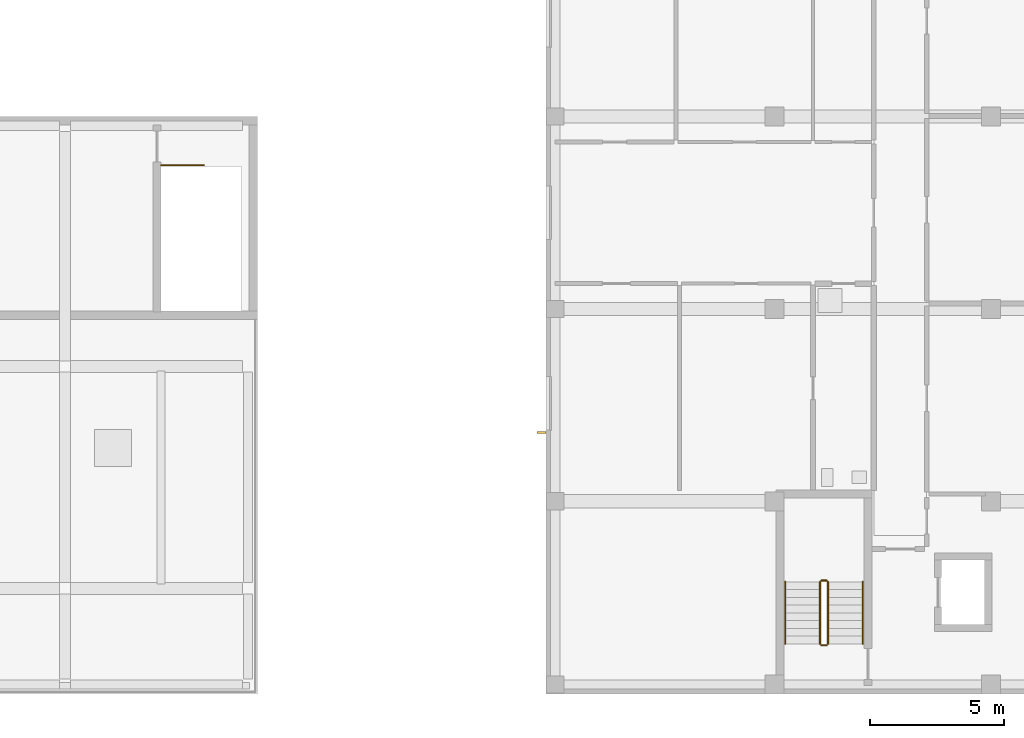
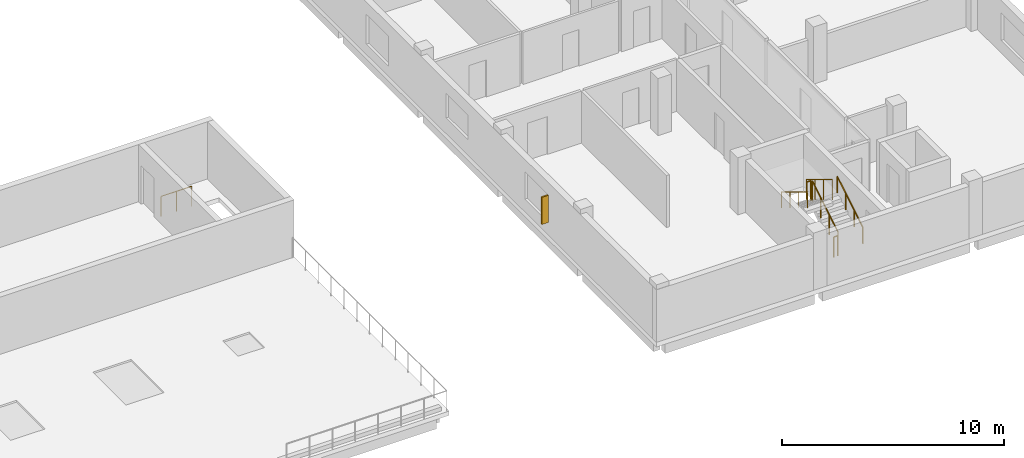
# One storey, part 50 of 56: 7 railings, 1 shading device.
"""IFC4 building model written with IfcOpenShell, lengths in metres."""

from ifc_helpers import new_model, si_unit, derived_unit, direction, frame, origin, origin_2d, place, context, subcontext, project, spatial, rectangle, circle, extrude, material, type_object, element, save


model = new_model("IFC4")

# Units and contexts
model_context = context("Model", 3, precision=1e-05, world=origin(), true_north=direction((0.0, 1.0)))
body_context = subcontext(model_context, "Body", "Model", "MODEL_VIEW")
ifc_project = project(units=[si_unit("LENGTHUNIT", "METRE"), si_unit("AREAUNIT", "SQUARE_METRE"), si_unit("VOLUMEUNIT", "CUBIC_METRE"), si_unit("PLANEANGLEUNIT", "RADIAN"), si_unit("MASSUNIT", "GRAM", prefix="KILO"), derived_unit("THERMALTRANSMITTANCEUNIT", [(si_unit("MASSUNIT", "GRAM", prefix="KILO"), 1), (si_unit("TIMEUNIT", "SECOND"), -3), (si_unit("THERMODYNAMICTEMPERATUREUNIT", "KELVIN"), -1)])], contexts=[model_context])

# Site, building, storey
site_placement = place(None, origin())
site = spatial("IfcSite", under=ifc_project, at=site_placement, CompositionType="ELEMENT")
building_placement = place(site_placement, origin())
building = spatial("IfcBuilding", under=site, at=building_placement, Name="Ochrekiln Boulevard Commons", CompositionType="ELEMENT")
storey_placement = place(building_placement, frame((0.0, 0.0, 12.074951171875)))
storey = spatial("IfcBuildingStorey", under=building, at=storey_placement, Name="L03", CompositionType="ELEMENT", Elevation=12.074951171875)

# Railings
ifc_material_1 = material(Name="Brushed stainless steel 316 tubular railing", Category="steel")
railing_type_1 = type_object("IfcRailingType", Name="RLG-HDR-900", PredefinedType="HANDRAIL", material=ifc_material_1)
railing_1_placement = place(storey_placement, frame((159.449951171875, 1.8701171875, 0.175048828125)))
element("IfcRailing", 1, at=railing_1_placement, inside=storey, type_object=railing_type_1, Name="L03 ST-C1 stair handrail 1", PredefinedType="HANDRAIL", context=body_context, shape_type="SweptSolid", body=[
    extrude(circle(Radius=0.02392578125, at=origin_2d()), frame((0.0, 0.0, 0.8759765625), z_axis=(0.0, 0.856186286599, 0.516667245565), x_axis=(-1.0, 0.0, 0.0)), (0.0, 0.0, 1.0), 2.70947265625),
    extrude(circle(Radius=0.02099609375, at=origin_2d()), origin(), (0.0, 0.0, 1.0), 0.851806640625),
    extrude(circle(Radius=0.02099609375, at=origin_2d()), frame((0.0, 0.773193359375, 0.466552734375)), (0.0, 0.0, 1.0), 0.851806640625),
    extrude(circle(Radius=0.02099609375, at=origin_2d()), frame((0.0, 1.546630859375, 0.933349609375)), (0.0, 0.0, 1.0), 0.851806640625),
    extrude(circle(Radius=0.02099609375, at=origin_2d()), frame((0.0, 2.31982421875, 1.39990234375)), (0.0, 0.0, 1.0), 0.851806640625),
])
railing_2_placement = place(storey_placement, frame((156.550048828125, 4.18994140625, 1.75)))
element("IfcRailing", 2, at=railing_2_placement, inside=storey, type_object=railing_type_1, Name="L03 ST-C1 stair handrail 2", PredefinedType="HANDRAIL", context=body_context, shape_type="SweptSolid", body=[
    extrude(circle(Radius=0.02392578125, at=origin_2d()), frame((0.0, 0.0, 0.8759765625), z_axis=(0.0, -0.856146426353, 0.516733293531), x_axis=(1.0, 0.0, 0.0)), (0.0, 0.0, 1.0), 2.709716796875),
    extrude(circle(Radius=0.02099609375, at=origin_2d()), origin(), (0.0, 0.0, 1.0), 0.851806640625),
    extrude(circle(Radius=0.02099609375, at=origin_2d()), frame((0.0, -0.773193359375, 0.466796875)), (0.0, 0.0, 1.0), 0.851806640625),
    extrude(circle(Radius=0.02099609375, at=origin_2d()), frame((0.0, -1.546630859375, 0.933349609375)), (0.0, 0.0, 1.0), 0.851806640625),
    extrude(circle(Radius=0.02099609375, at=origin_2d()), frame((0.0, -2.31982421875, 1.400146484375)), (0.0, 0.0, 1.0), 0.851806640625),
])
railing_type_2 = type_object("IfcRailingType", Name="RLG-STR-1120", PredefinedType="BALUSTRADE", material=ifc_material_1)
railing_3_placement = place(storey_placement, frame((158.14990234375, 1.8701171875, 0.175048828125)))
element("IfcRailing", 3, at=railing_3_placement, inside=storey, type_object=railing_type_2, Name="L03 ST-C1 stair guard 1", PredefinedType="BALUSTRADE", context=body_context, shape_type="SweptSolid", body=[
    extrude(circle(Radius=0.02392578125, at=origin_2d()), frame((0.0, 0.0, 1.09619140625), z_axis=(0.0, 0.856186286599, 0.516667245565), x_axis=(-1.0, 0.0, 0.0)), (0.0, 0.0, 1.0), 2.70947265625),
    extrude(circle(Radius=0.02099609375, at=origin_2d()), origin(), (0.0, 0.0, 1.0), 1.072021484375),
    extrude(circle(Radius=0.02099609375, at=origin_2d()), frame((0.0, 0.773193359375, 0.466552734375)), (0.0, 0.0, 1.0), 1.072021484375),
    extrude(circle(Radius=0.02099609375, at=origin_2d()), frame((0.0, 1.546630859375, 0.933349609375)), (0.0, 0.0, 1.0), 1.072021484375),
    extrude(circle(Radius=0.02099609375, at=origin_2d()), frame((0.0, 2.31982421875, 1.39990234375)), (0.0, 0.0, 1.0), 1.072021484375),
])
railing_4_placement = place(storey_placement, frame((158.10009765625, 4.239990234375, 1.574951171875)))
element("IfcRailing", 4, at=railing_4_placement, inside=storey, type_object=railing_type_2, Name="L03 ST-C1 stair guard 2", PredefinedType="BALUSTRADE", context=body_context, shape_type="SweptSolid", body=[
    extrude(circle(Radius=0.02392578125, at=origin_2d()), frame((0.0, 0.0, 1.09619140625), z_axis=(-1.0, 0.0, 0.0), x_axis=(0.0, -1.0, 0.0)), (0.0, 0.0, 1.0), 0.2001953125),
    extrude(circle(Radius=0.02099609375, at=origin_2d()), origin(), (0.0, 0.0, 1.0), 1.072021484375),
    extrude(circle(Radius=0.02099609375, at=origin_2d()), frame((-0.2001953125, 0.0, 0.0)), (0.0, 0.0, 1.0), 1.072021484375),
])
railing_5_placement = place(storey_placement, frame((157.85009765625, 4.18994140625, 1.75)))
element("IfcRailing", 5, at=railing_5_placement, inside=storey, type_object=railing_type_2, Name="L03 ST-C1 stair guard 3", PredefinedType="BALUSTRADE", context=body_context, shape_type="SweptSolid", body=[
    extrude(circle(Radius=0.02392578125, at=origin_2d()), frame((0.0, 0.0, 1.09619140625), z_axis=(0.0, -0.856146426353, 0.516733293531), x_axis=(1.0, 0.0, 0.0)), (0.0, 0.0, 1.0), 2.709716796875),
    extrude(circle(Radius=0.02099609375, at=origin_2d()), origin(), (0.0, 0.0, 1.0), 1.072021484375),
    extrude(circle(Radius=0.02099609375, at=origin_2d()), frame((0.0, -0.773193359375, 0.466796875)), (0.0, 0.0, 1.0), 1.072021484375),
    extrude(circle(Radius=0.02099609375, at=origin_2d()), frame((0.0, -1.546630859375, 0.933349609375)), (0.0, 0.0, 1.0), 1.072021484375),
    extrude(circle(Radius=0.02099609375, at=origin_2d()), frame((0.0, -2.31982421875, 1.400146484375)), (0.0, 0.0, 1.0), 1.072021484375),
])
railing_6_placement = place(storey_placement, frame((158.10009765625, 1.820068359375, 0.0)))
element("IfcRailing", 6, at=railing_6_placement, inside=storey, type_object=railing_type_2, Name="L03 ST-C1 stair guard 4", PredefinedType="BALUSTRADE", context=body_context, shape_type="SweptSolid", body=[
    extrude(circle(Radius=0.02392578125, at=origin_2d()), frame((0.0, 0.0, 1.09619140625), z_axis=(-1.0, 0.0, 0.0), x_axis=(0.0, -1.0, 0.0)), (0.0, 0.0, 1.0), 0.2001953125),
    extrude(circle(Radius=0.02099609375, at=origin_2d()), origin(), (0.0, 0.0, 1.0), 1.072021484375),
    extrude(circle(Radius=0.02099609375, at=origin_2d()), frame((-0.2001953125, 0.0, 0.0)), (0.0, 0.0, 1.0), 1.072021484375),
])
railing_7_placement = place(storey_placement, frame((133.199951171875, 19.780029296875, 0.0)))
element("IfcRailing", 7, at=railing_7_placement, inside=storey, type_object=railing_type_2, Name="L03 ST-E2 top well guard 1", PredefinedType="BALUSTRADE", context=body_context, shape_type="SweptSolid", body=[
    extrude(circle(Radius=0.02392578125, at=origin_2d()), frame((0.0, 0.0, 1.09619140625), z_axis=(1.0, 0.0, 0.0), x_axis=(0.0, 1.0, 0.0)), (0.0, 0.0, 1.0), 1.60009765625),
    extrude(circle(Radius=0.02099609375, at=origin_2d()), origin(), (0.0, 0.0, 1.0), 1.072021484375),
    extrude(circle(Radius=0.02099609375, at=origin_2d()), frame((0.800048828125, 0.0, 0.0)), (0.0, 0.0, 1.0), 1.072021484375),
    extrude(circle(Radius=0.02099609375, at=origin_2d()), frame((1.60009765625, 0.0, 0.0)), (0.0, 0.0, 1.0), 1.072021484375),
])

# Shading device
ifc_material_2 = material(Name="Glazed architectural terracotta ASTM C1405", Category="masonry")
shading_device_type = type_object("IfcShadingDeviceType", Name="SHD-FIN-TERRA", PredefinedType="JALOUSIE", material=ifc_material_2)
shading_device_placement = place(storey_placement, frame((147.429931640625, 9.784912109375, 0.705078125), z_axis=(0.0, 0.0, 1.0), x_axis=(1.0, 0.0, 0.0)))
element("IfcShadingDevice", 8, at=shading_device_placement, inside=storey, type_object=shading_device_type, Name="Terracotta Solar Shading Fin SF-01 (58)", PredefinedType="JALOUSIE", context=body_context, shape_type="SweptSolid", body=[
    extrude(rectangle(XDim=0.35009765625, YDim=0.080078125, at=origin_2d()), origin(), (0.0, 0.0, 1.0), 1.5),
])

save(model, "model.ifc")
